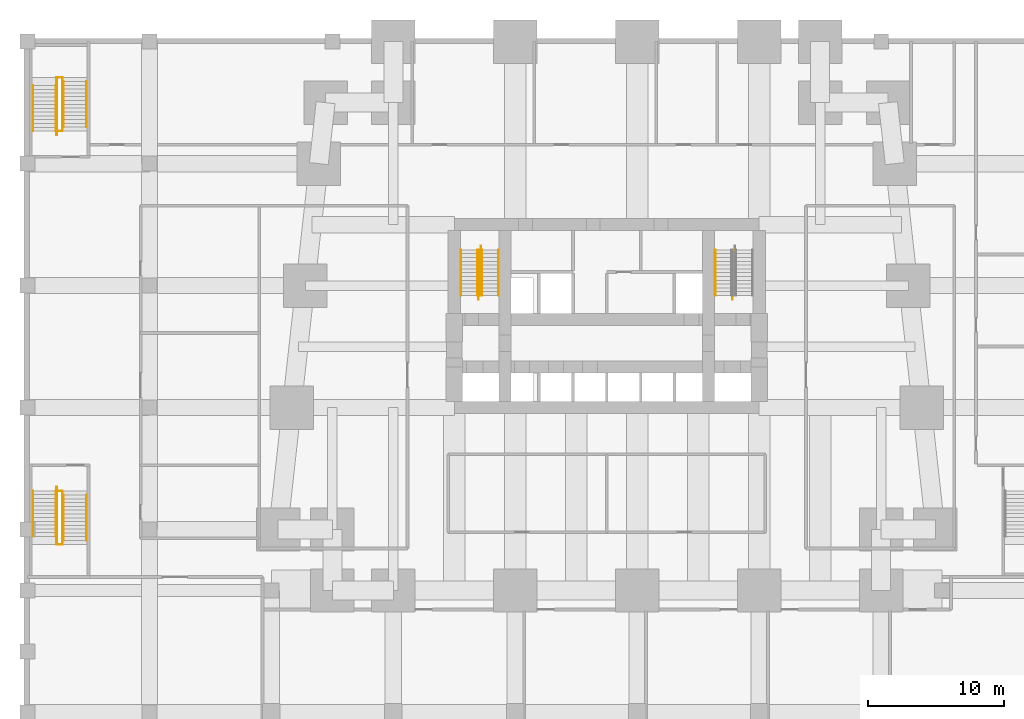
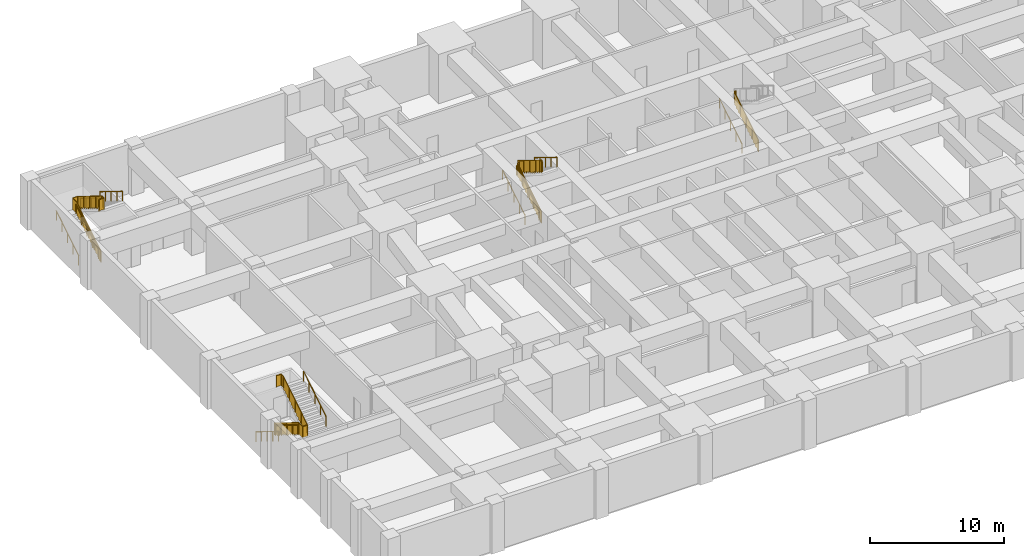
# One storey, part 7 of 8: 20 railings.
"""IFC4 building model written with IfcOpenShell, lengths in metres."""

from ifc_helpers import new_model, si_unit, direction, frame, origin, origin_2d, place, context, subcontext, project, spatial, polyline, circle, outline, extrude, material, type_object, element, save


model = new_model("IFC4")

# Units and contexts
model_context = context("Model", 3, precision=1e-05, world=origin(), true_north=direction((0.0, 1.0)))
body_context = subcontext(model_context, "Body", "Model", "MODEL_VIEW")
ifc_project = project(units=[si_unit("LENGTHUNIT", "METRE"), si_unit("AREAUNIT", "SQUARE_METRE"), si_unit("VOLUMEUNIT", "CUBIC_METRE"), si_unit("PLANEANGLEUNIT", "RADIAN"), si_unit("MASSUNIT", "GRAM", prefix="KILO")], contexts=[model_context])

# Site, building, storey
site_placement = place(None, origin())
site = spatial("IfcSite", under=ifc_project, at=site_placement, CompositionType="ELEMENT")
building_placement = place(site_placement, origin())
building = spatial("IfcBuilding", under=site, at=building_placement, Name="Kilele Tower Hotel", CompositionType="ELEMENT")
storey_placement = place(building_placement, frame((0.0, 0.0, -4.5)))
storey = spatial("IfcBuildingStorey", under=building, at=storey_placement, Name="B1", CompositionType="ELEMENT", Elevation=-4.5)

# Railings
ifc_material_1 = material(Name="Steel handrail", Category="steel")
railing_type_1 = type_object("IfcRailingType", Name="Handrail 900", PredefinedType="HANDRAIL", material=ifc_material_1)
for number, where, name in (
    (1, (14.0, 21.77490234375, 0.173095703125), "Handrail ST1 flight 1"),
    (2, (15.22509765625, 21.77490234375, 0.173095703125), "Handrail ST1 flight 1"),
):
    element("IfcRailing", number, at=place(storey_placement, frame(where)), inside=storey, type_object=railing_type_1, Name=name, PredefinedType="HANDRAIL", context=body_context, shape_type="SweptSolid", body=[
        extrude(circle(Radius=0.02490234375, at=origin_2d()), frame((0.0, 0.0, 0.875), z_axis=(0.0, 0.850623216509, 0.525775754039), x_axis=(-1.0, 0.0, 0.0)), (0.0, 0.0, 1.0), 3.9501953125),
        extrude(circle(Radius=0.02001953125, at=origin_2d()), origin(), (0.0, 0.0, 1.0), 0.849853515625),
        extrude(circle(Radius=0.02001953125, at=origin_2d()), frame((0.0, 0.840087890625, 0.519287109375)), (0.0, 0.0, 1.0), 0.849853515625),
        extrude(circle(Radius=0.02001953125, at=origin_2d()), frame((0.0, 1.68017578125, 1.03857421875)), (0.0, 0.0, 1.0), 0.849853515625),
        extrude(circle(Radius=0.02001953125, at=origin_2d()), frame((0.0, 2.52001953125, 1.5576171875)), (0.0, 0.0, 1.0), 0.849853515625),
        extrude(circle(Radius=0.02001953125, at=origin_2d()), frame((0.0, 3.360107421875, 2.076904296875)), (0.0, 0.0, 1.0), 0.849853515625),
    ])
for number, where, name in (
    (3, (15.52490234375, 25.135009765625, 2.423095703125), "Handrail ST1 flight 2"),
    (4, (16.75, 25.135009765625, 2.423095703125), "Handrail ST1 flight 2"),
):
    element("IfcRailing", number, at=place(storey_placement, frame(where)), inside=storey, type_object=railing_type_1, Name=name, PredefinedType="HANDRAIL", context=body_context, shape_type="SweptSolid", body=[
        extrude(circle(Radius=0.02490234375, at=origin_2d()), frame((0.0, 0.0, 0.875), z_axis=(0.0, -0.850623216509, 0.525775754039), x_axis=(1.0, 0.0, 0.0)), (0.0, 0.0, 1.0), 3.9501953125),
        extrude(circle(Radius=0.02001953125, at=origin_2d()), origin(), (0.0, 0.0, 1.0), 0.849853515625),
        extrude(circle(Radius=0.02001953125, at=origin_2d()), frame((0.0, -0.840087890625, 0.519287109375)), (0.0, 0.0, 1.0), 0.849853515625),
        extrude(circle(Radius=0.02001953125, at=origin_2d()), frame((0.0, -1.68017578125, 1.03857421875)), (0.0, 0.0, 1.0), 0.849853515625),
        extrude(circle(Radius=0.02001953125, at=origin_2d()), frame((0.0, -2.52001953125, 1.5576171875)), (0.0, 0.0, 1.0), 0.849853515625),
        extrude(circle(Radius=0.02001953125, at=origin_2d()), frame((0.0, -3.360107421875, 2.076904296875)), (0.0, 0.0, 1.0), 0.849853515625),
    ])
for number, where, name in (
    (5, (32.75, 21.77490234375, 0.173095703125), "Handrail ST2 flight 1"),
    (6, (-17.60009765625, 33.89990234375, 0.173095703125), "Handrail ST3 flight 1"),
    (7, (-15.89990234375, 33.89990234375, 0.173095703125), "Handrail ST3 flight 1"),
):
    element("IfcRailing", number, at=place(storey_placement, frame(where)), inside=storey, type_object=railing_type_1, Name=name, PredefinedType="HANDRAIL", context=body_context, shape_type="SweptSolid", body=[
        extrude(circle(Radius=0.02490234375, at=origin_2d()), frame((0.0, 0.0, 0.875), z_axis=(0.0, 0.850623216509, 0.525775754039), x_axis=(-1.0, 0.0, 0.0)), (0.0, 0.0, 1.0), 3.9501953125),
        extrude(circle(Radius=0.02001953125, at=origin_2d()), origin(), (0.0, 0.0, 1.0), 0.849853515625),
        extrude(circle(Radius=0.02001953125, at=origin_2d()), frame((0.0, 0.840087890625, 0.519287109375)), (0.0, 0.0, 1.0), 0.849853515625),
        extrude(circle(Radius=0.02001953125, at=origin_2d()), frame((0.0, 1.68017578125, 1.03857421875)), (0.0, 0.0, 1.0), 0.849853515625),
        extrude(circle(Radius=0.02001953125, at=origin_2d()), frame((0.0, 2.52001953125, 1.5576171875)), (0.0, 0.0, 1.0), 0.849853515625),
        extrude(circle(Radius=0.02001953125, at=origin_2d()), frame((0.0, 3.360107421875, 2.076904296875)), (0.0, 0.0, 1.0), 0.849853515625),
    ])
for number, where, name in (
    (8, (-15.35009765625, 37.56005859375, 2.423095703125), "Handrail ST3 flight 2"),
    (9, (-13.64990234375, 37.56005859375, 2.423095703125), "Handrail ST3 flight 2"),
    (10, (-17.60009765625, 7.35009765625, 0.173095703125), "Handrail ST4 flight 1"),
    (11, (-15.89990234375, 7.35009765625, 0.173095703125), "Handrail ST4 flight 1"),
):
    element("IfcRailing", number, at=place(storey_placement, frame(where)), inside=storey, type_object=railing_type_1, Name=name, PredefinedType="HANDRAIL", context=body_context, shape_type="SweptSolid", body=[
        extrude(circle(Radius=0.02490234375, at=origin_2d()), frame((0.0, 0.0, 0.875), z_axis=(0.0, -0.850623216509, 0.525775754039), x_axis=(1.0, 0.0, 0.0)), (0.0, 0.0, 1.0), 3.9501953125),
        extrude(circle(Radius=0.02001953125, at=origin_2d()), origin(), (0.0, 0.0, 1.0), 0.849853515625),
        extrude(circle(Radius=0.02001953125, at=origin_2d()), frame((0.0, -0.840087890625, 0.519287109375)), (0.0, 0.0, 1.0), 0.849853515625),
        extrude(circle(Radius=0.02001953125, at=origin_2d()), frame((0.0, -1.68017578125, 1.03857421875)), (0.0, 0.0, 1.0), 0.849853515625),
        extrude(circle(Radius=0.02001953125, at=origin_2d()), frame((0.0, -2.52001953125, 1.5576171875)), (0.0, 0.0, 1.0), 0.849853515625),
        extrude(circle(Radius=0.02001953125, at=origin_2d()), frame((0.0, -3.360107421875, 2.076904296875)), (0.0, 0.0, 1.0), 0.849853515625),
    ])
for number, where, name in (
    (12, (-15.35009765625, 3.68994140625, 2.423095703125), "Handrail ST4 flight 2"),
    (13, (-13.64990234375, 3.68994140625, 2.423095703125), "Handrail ST4 flight 2"),
):
    element("IfcRailing", number, at=place(storey_placement, frame(where)), inside=storey, type_object=railing_type_1, Name=name, PredefinedType="HANDRAIL", context=body_context, shape_type="SweptSolid", body=[
        extrude(circle(Radius=0.02490234375, at=origin_2d()), frame((0.0, 0.0, 0.875), z_axis=(0.0, 0.850623216509, 0.525775754039), x_axis=(-1.0, 0.0, 0.0)), (0.0, 0.0, 1.0), 3.9501953125),
        extrude(circle(Radius=0.02001953125, at=origin_2d()), origin(), (0.0, 0.0, 1.0), 0.849853515625),
        extrude(circle(Radius=0.02001953125, at=origin_2d()), frame((0.0, 0.840087890625, 0.519287109375)), (0.0, 0.0, 1.0), 0.849853515625),
        extrude(circle(Radius=0.02001953125, at=origin_2d()), frame((0.0, 1.68017578125, 1.03857421875)), (0.0, 0.0, 1.0), 0.849853515625),
        extrude(circle(Radius=0.02001953125, at=origin_2d()), frame((0.0, 2.52001953125, 1.5576171875)), (0.0, 0.0, 1.0), 0.849853515625),
        extrude(circle(Radius=0.02001953125, at=origin_2d()), frame((0.0, 3.360107421875, 2.076904296875)), (0.0, 0.0, 1.0), 0.849853515625),
    ])
ifc_material_2 = material(Name="Steel guard", Category="steel")
railing_type_2 = type_object("IfcRailingType", Name="Stair guard 1100", PredefinedType="GUARDRAIL", material=ifc_material_2)
railing_1_placement = place(storey_placement, frame((15.284912109375, 21.4951171875, 0.0)))
element("IfcRailing", 14, at=railing_1_placement, inside=storey, type_object=railing_type_2, Name="Stair well guard ST1 flight 1", PredefinedType="GUARDRAIL", context=body_context, shape_type="SweptSolid", body=[
    extrude(circle(Radius=0.02490234375, at=origin_2d()), frame((0.0, 0.0, 1.0751953125), z_axis=(0.0, 0.850606632239, 0.525802583857), x_axis=(-1.0, 0.0, 0.0)), (0.0, 0.0, 1.0), 4.279052734375),
    extrude(circle(Radius=0.02490234375, at=origin_2d()), frame((0.0, 3.639892578125, 3.3251953125), z_axis=(1.0, 0.0, 0.0), x_axis=(0.0, 1.0, 0.0)), (0.0, 0.0, 1.0), 0.18017578125),
    extrude(circle(Radius=0.02490234375, at=origin_2d()), origin(), (0.0, 0.0, 1.0), 1.050048828125),
    extrude(circle(Radius=0.02490234375, at=origin_2d()), frame((0.0, 0.909912109375, 0.5625)), (0.0, 0.0, 1.0), 1.050048828125),
    extrude(circle(Radius=0.02490234375, at=origin_2d()), frame((0.0, 1.81982421875, 1.125)), (0.0, 0.0, 1.0), 1.050048828125),
    extrude(circle(Radius=0.02490234375, at=origin_2d()), frame((0.0, 2.72998046875, 1.6875)), (0.0, 0.0, 1.0), 1.050048828125),
    extrude(circle(Radius=0.02490234375, at=origin_2d()), frame((0.0, 3.639892578125, 2.25)), (0.0, 0.0, 1.0), 1.050048828125),
    extrude(circle(Radius=0.02490234375, at=origin_2d()), frame((0.18017578125, 3.639892578125, 2.25)), (0.0, 0.0, 1.0), 1.050048828125),
    extrude(outline(polyline([(0.012451171875, 0.030029296875), (0.25, 0.030029296875), (0.25, 0.203125), (0.530029296875, 0.203125), (0.530029296875, 0.376220703125), (0.81005859375, 0.376220703125), (0.81005859375, 0.54931640625), (1.08984375, 0.54931640625), (1.08984375, 0.722412109375), (1.369873046875, 0.722412109375), (1.369873046875, 0.8955078125), (1.64990234375, 0.8955078125), (1.64990234375, 1.068603515625), (1.929931640625, 1.068603515625), (1.929931640625, 1.241455078125), (2.2099609375, 1.241455078125), (2.2099609375, 1.41455078125), (2.489990234375, 1.41455078125), (2.489990234375, 1.587646484375), (2.769775390625, 1.587646484375), (2.769775390625, 1.7607421875), (3.0498046875, 1.7607421875), (3.0498046875, 1.933837890625), (3.329833984375, 1.933837890625), (3.329833984375, 2.10693359375), (3.60986328125, 2.10693359375), (3.60986328125, 2.280029296875), (3.62744140625, 2.280029296875), (3.62744140625, 3.287841796875), (0.012451171875, 1.053466796875), (0.012451171875, 0.030029296875)])), frame((-0.005859375, 0.0, 0.0), z_axis=(1.0, 0.0, 0.0), x_axis=(0.0, 1.0, 0.0)), (0.0, 0.0, 1.0), 0.011962890625),
    extrude(outline(polyline([(0.012451171875, 0.030029296875), (0.18017578125, 0.030029296875), (0.18017578125, 1.050048828125), (0.012451171875, 1.050048828125), (0.012451171875, 0.030029296875)])), frame((0.0, 3.64599609375, 2.25), z_axis=(0.0, -1.0, 0.0), x_axis=(1.0, 0.0, 0.0)), (0.0, 0.0, 1.0), 0.011962890625),
])
railing_2_placement = place(storey_placement, frame((15.465087890625, 25.4150390625, 2.25)))
element("IfcRailing", 15, at=railing_2_placement, inside=storey, type_object=railing_type_2, Name="Stair well guard ST1 flight 2", PredefinedType="GUARDRAIL", context=body_context, shape_type="SweptSolid", body=[
    extrude(circle(Radius=0.02490234375, at=origin_2d()), frame((0.0, 0.0, 1.0751953125), z_axis=(0.0, -0.850622404505, 0.525777067734), x_axis=(1.0, 0.0, 0.0)), (0.0, 0.0, 1.0), 4.279296875),
    extrude(circle(Radius=0.02490234375, at=origin_2d()), frame((0.0, -3.64013671875, 3.3251953125), z_axis=(-1.0, 0.0, 0.0), x_axis=(0.0, -1.0, 0.0)), (0.0, 0.0, 1.0), 0.18017578125),
    extrude(circle(Radius=0.02490234375, at=origin_2d()), origin(), (0.0, 0.0, 1.0), 1.050048828125),
    extrude(circle(Radius=0.02490234375, at=origin_2d()), frame((0.0, -0.91015625, 0.5625)), (0.0, 0.0, 1.0), 1.050048828125),
    extrude(circle(Radius=0.02490234375, at=origin_2d()), frame((0.0, -1.820068359375, 1.125)), (0.0, 0.0, 1.0), 1.050048828125),
    extrude(circle(Radius=0.02490234375, at=origin_2d()), frame((0.0, -2.72998046875, 1.6875)), (0.0, 0.0, 1.0), 1.050048828125),
    extrude(circle(Radius=0.02490234375, at=origin_2d()), frame((0.0, -3.64013671875, 2.25)), (0.0, 0.0, 1.0), 1.050048828125),
    extrude(circle(Radius=0.02490234375, at=origin_2d()), frame((-0.18017578125, -3.64013671875, 2.25)), (0.0, 0.0, 1.0), 1.050048828125),
    extrude(outline(polyline([(0.0, 0.030029296875), (0.25, 0.030029296875), (0.25, 0.203125), (0.530029296875, 0.203125), (0.530029296875, 0.376220703125), (0.81005859375, 0.376220703125), (0.81005859375, 0.54931640625), (1.090087890625, 0.54931640625), (1.090087890625, 0.722412109375), (1.3701171875, 0.722412109375), (1.3701171875, 0.8955078125), (1.650146484375, 0.8955078125), (1.650146484375, 1.068603515625), (1.929931640625, 1.068603515625), (1.929931640625, 1.241455078125), (2.2099609375, 1.241455078125), (2.2099609375, 1.41455078125), (2.489990234375, 1.41455078125), (2.489990234375, 1.587646484375), (2.77001953125, 1.587646484375), (2.77001953125, 1.7607421875), (3.050048828125, 1.7607421875), (3.050048828125, 1.933837890625), (3.330078125, 1.933837890625), (3.330078125, 2.10693359375), (3.610107421875, 2.10693359375), (3.610107421875, 2.280029296875), (3.627685546875, 2.280029296875), (3.627685546875, 3.287841796875), (0.0, 1.045654296875), (0.0, 0.030029296875)])), frame((0.005859375, 0.0, 0.0), z_axis=(-1.0, 0.0, 0.0), x_axis=(0.0, -1.0, 0.0)), (0.0, 0.0, 1.0), 0.011962890625),
    extrude(outline(polyline([(0.012451171875, 0.030029296875), (0.18017578125, 0.030029296875), (0.18017578125, 1.050048828125), (0.012451171875, 1.050048828125), (0.012451171875, 0.030029296875)])), frame((0.0, -3.64599609375, 2.25), z_axis=(0.0, 1.0, 0.0), x_axis=(-1.0, 0.0, 0.0)), (0.0, 0.0, 1.0), 0.011962890625),
])
railing_3_placement = place(storey_placement, frame((34.034912109375, 21.4951171875, 0.0)))
element("IfcRailing", 16, at=railing_3_placement, inside=storey, type_object=railing_type_2, Name="Stair well guard ST2 flight 1", PredefinedType="GUARDRAIL", context=body_context, shape_type="SweptSolid", body=[
    extrude(circle(Radius=0.02490234375, at=origin_2d()), frame((0.0, 0.0, 1.0751953125), z_axis=(0.0, 0.850606632239, 0.525802583857), x_axis=(-1.0, 0.0, 0.0)), (0.0, 0.0, 1.0), 4.279052734375),
    extrude(circle(Radius=0.02490234375, at=origin_2d()), frame((0.0, 3.639892578125, 3.3251953125), z_axis=(1.0, 0.0, 0.0), x_axis=(0.0, 1.0, 0.0)), (0.0, 0.0, 1.0), 0.18017578125),
    extrude(circle(Radius=0.02490234375, at=origin_2d()), origin(), (0.0, 0.0, 1.0), 1.050048828125),
    extrude(circle(Radius=0.02490234375, at=origin_2d()), frame((0.0, 0.909912109375, 0.5625)), (0.0, 0.0, 1.0), 1.050048828125),
    extrude(circle(Radius=0.02490234375, at=origin_2d()), frame((0.0, 1.81982421875, 1.125)), (0.0, 0.0, 1.0), 1.050048828125),
    extrude(circle(Radius=0.02490234375, at=origin_2d()), frame((0.0, 2.72998046875, 1.6875)), (0.0, 0.0, 1.0), 1.050048828125),
    extrude(circle(Radius=0.02490234375, at=origin_2d()), frame((0.0, 3.639892578125, 2.25)), (0.0, 0.0, 1.0), 1.050048828125),
    extrude(circle(Radius=0.02490234375, at=origin_2d()), frame((0.18017578125, 3.639892578125, 2.25)), (0.0, 0.0, 1.0), 1.050048828125),
    extrude(outline(polyline([(0.012451171875, 0.030029296875), (0.25, 0.030029296875), (0.25, 0.203125), (0.530029296875, 0.203125), (0.530029296875, 0.376220703125), (0.81005859375, 0.376220703125), (0.81005859375, 0.54931640625), (1.08984375, 0.54931640625), (1.08984375, 0.722412109375), (1.369873046875, 0.722412109375), (1.369873046875, 0.8955078125), (1.64990234375, 0.8955078125), (1.64990234375, 1.068603515625), (1.929931640625, 1.068603515625), (1.929931640625, 1.241455078125), (2.2099609375, 1.241455078125), (2.2099609375, 1.41455078125), (2.489990234375, 1.41455078125), (2.489990234375, 1.587646484375), (2.769775390625, 1.587646484375), (2.769775390625, 1.7607421875), (3.0498046875, 1.7607421875), (3.0498046875, 1.933837890625), (3.329833984375, 1.933837890625), (3.329833984375, 2.10693359375), (3.60986328125, 2.10693359375), (3.60986328125, 2.280029296875), (3.62744140625, 2.280029296875), (3.62744140625, 3.287841796875), (0.012451171875, 1.053466796875), (0.012451171875, 0.030029296875)])), frame((-0.005859375, 0.0, 0.0), z_axis=(1.0, 0.0, 0.0), x_axis=(0.0, 1.0, 0.0)), (0.0, 0.0, 1.0), 0.011962890625),
    extrude(outline(polyline([(0.012451171875, 0.030029296875), (0.18017578125, 0.030029296875), (0.18017578125, 1.050048828125), (0.012451171875, 1.050048828125), (0.012451171875, 0.030029296875)])), frame((0.0, 3.64599609375, 2.25), z_axis=(0.0, -1.0, 0.0), x_axis=(1.0, 0.0, 0.0)), (0.0, 0.0, 1.0), 0.011962890625),
])
railing_4_placement = place(storey_placement, frame((-15.840087890625, 33.6201171875, 0.0)))
element("IfcRailing", 17, at=railing_4_placement, inside=storey, type_object=railing_type_2, Name="Stair well guard ST3 flight 1", PredefinedType="GUARDRAIL", context=body_context, shape_type="SweptSolid", body=[
    extrude(circle(Radius=0.02490234375, at=origin_2d()), frame((0.0, 0.0, 1.0751953125), z_axis=(0.0, 0.850606632239, 0.525802583857), x_axis=(-1.0, 0.0, 0.0)), (0.0, 0.0, 1.0), 4.279052734375),
    extrude(circle(Radius=0.02490234375, at=origin_2d()), frame((0.0, 3.639892578125, 3.3251953125), z_axis=(0.0, 1.0, 0.0), x_axis=(-1.0, 0.0, 0.0)), (0.0, 0.0, 1.0), 0.60009765625),
    extrude(circle(Radius=0.02490234375, at=origin_2d()), frame((0.0, 4.239990234375, 3.3251953125), z_axis=(1.0, 0.0, 0.0), x_axis=(0.0, 1.0, 0.0)), (0.0, 0.0, 1.0), 0.43017578125),
    extrude(circle(Radius=0.02490234375, at=origin_2d()), origin(), (0.0, 0.0, 1.0), 1.050048828125),
    extrude(circle(Radius=0.02490234375, at=origin_2d()), frame((0.0, 0.909912109375, 0.5625)), (0.0, 0.0, 1.0), 1.050048828125),
    extrude(circle(Radius=0.02490234375, at=origin_2d()), frame((0.0, 1.81982421875, 1.125)), (0.0, 0.0, 1.0), 1.050048828125),
    extrude(circle(Radius=0.02490234375, at=origin_2d()), frame((0.0, 2.72998046875, 1.6875)), (0.0, 0.0, 1.0), 1.050048828125),
    extrude(circle(Radius=0.02490234375, at=origin_2d()), frame((0.0, 3.639892578125, 2.25)), (0.0, 0.0, 1.0), 1.050048828125),
    extrude(circle(Radius=0.02490234375, at=origin_2d()), frame((0.0, 4.239990234375, 2.25)), (0.0, 0.0, 1.0), 1.050048828125),
    extrude(circle(Radius=0.02490234375, at=origin_2d()), frame((0.43017578125, 4.239990234375, 2.25)), (0.0, 0.0, 1.0), 1.050048828125),
    extrude(outline(polyline([(0.012451171875, 0.030029296875), (0.25, 0.030029296875), (0.25, 0.203125), (0.530029296875, 0.203125), (0.530029296875, 0.376220703125), (0.81005859375, 0.376220703125), (0.81005859375, 0.54931640625), (1.08984375, 0.54931640625), (1.08984375, 0.722412109375), (1.369873046875, 0.722412109375), (1.369873046875, 0.8955078125), (1.64990234375, 0.8955078125), (1.64990234375, 1.068603515625), (1.929931640625, 1.068603515625), (1.929931640625, 1.241455078125), (2.2099609375, 1.241455078125), (2.2099609375, 1.41455078125), (2.489990234375, 1.41455078125), (2.489990234375, 1.587646484375), (2.769775390625, 1.587646484375), (2.769775390625, 1.7607421875), (3.0498046875, 1.7607421875), (3.0498046875, 1.933837890625), (3.329833984375, 1.933837890625), (3.329833984375, 2.10693359375), (3.60986328125, 2.10693359375), (3.60986328125, 2.280029296875), (3.62744140625, 2.280029296875), (3.62744140625, 3.287841796875), (0.012451171875, 1.053466796875), (0.012451171875, 0.030029296875)])), frame((-0.005859375, 0.0, 0.0), z_axis=(1.0, 0.0, 0.0), x_axis=(0.0, 1.0, 0.0)), (0.0, 0.0, 1.0), 0.011962890625),
    extrude(outline(polyline([(0.012451171875, 0.030029296875), (0.587646484375, 0.030029296875), (0.587646484375, 1.050048828125), (0.012451171875, 1.050048828125), (0.012451171875, 0.030029296875)])), frame((-0.005859375, 3.639892578125, 2.25), z_axis=(1.0, 0.0, 0.0), x_axis=(0.0, 1.0, 0.0)), (0.0, 0.0, 1.0), 0.011962890625),
    extrude(outline(polyline([(0.012451171875, 0.030029296875), (0.43017578125, 0.030029296875), (0.43017578125, 1.050048828125), (0.012451171875, 1.050048828125), (0.012451171875, 0.030029296875)])), frame((0.0, 4.24609375, 2.25), z_axis=(0.0, -1.0, 0.0), x_axis=(1.0, 0.0, 0.0)), (0.0, 0.0, 1.0), 0.011962890625),
])
railing_5_placement = place(storey_placement, frame((-15.409912109375, 37.860107421875, 2.25)))
element("IfcRailing", 18, at=railing_5_placement, inside=storey, type_object=railing_type_2, Name="Stair well guard ST3 flight 2", PredefinedType="GUARDRAIL", context=body_context, shape_type="SweptSolid", body=[
    extrude(circle(Radius=0.02490234375, at=origin_2d()), frame((0.0, 0.0, 1.0751953125), z_axis=(0.0, -1.0, 0.0), x_axis=(1.0, 0.0, 0.0)), (0.0, 0.0, 1.0), 0.02001953125),
    extrude(circle(Radius=0.02490234375, at=origin_2d()), frame((0.0, -0.02001953125, 1.0751953125), z_axis=(0.0, -0.850622404505, 0.525777067734), x_axis=(1.0, 0.0, 0.0)), (0.0, 0.0, 1.0), 4.279296875),
    extrude(circle(Radius=0.02490234375, at=origin_2d()), frame((0.0, -3.66015625, 3.3251953125), z_axis=(0.0, -1.0, 0.0), x_axis=(1.0, 0.0, 0.0)), (0.0, 0.0, 1.0), 0.300048828125),
    extrude(circle(Radius=0.02490234375, at=origin_2d()), frame((0.0, -3.960205078125, 3.3251953125), z_axis=(-1.0, 0.0, 0.0), x_axis=(0.0, -1.0, 0.0)), (0.0, 0.0, 1.0), 0.43017578125),
    extrude(circle(Radius=0.02490234375, at=origin_2d()), origin(), (0.0, 0.0, 1.0), 1.050048828125),
    extrude(circle(Radius=0.02490234375, at=origin_2d()), frame((0.0, -0.02001953125, 0.0)), (0.0, 0.0, 1.0), 1.050048828125),
    extrude(circle(Radius=0.02490234375, at=origin_2d()), frame((0.0, -0.93017578125, 0.5625)), (0.0, 0.0, 1.0), 1.050048828125),
    extrude(circle(Radius=0.02490234375, at=origin_2d()), frame((0.0, -1.840087890625, 1.125)), (0.0, 0.0, 1.0), 1.050048828125),
    extrude(circle(Radius=0.02490234375, at=origin_2d()), frame((0.0, -2.75, 1.6875)), (0.0, 0.0, 1.0), 1.050048828125),
    extrude(circle(Radius=0.02490234375, at=origin_2d()), frame((0.0, -3.66015625, 2.25)), (0.0, 0.0, 1.0), 1.050048828125),
    extrude(circle(Radius=0.02490234375, at=origin_2d()), frame((0.0, -3.960205078125, 2.25)), (0.0, 0.0, 1.0), 1.050048828125),
    extrude(circle(Radius=0.02490234375, at=origin_2d()), frame((-0.43017578125, -3.960205078125, 2.25)), (0.0, 0.0, 1.0), 1.050048828125),
    extrude(outline(polyline([(0.012451171875, 0.030029296875), (0.25, 0.030029296875), (0.25, 0.203125), (0.530029296875, 0.203125), (0.530029296875, 0.376220703125), (0.81005859375, 0.376220703125), (0.81005859375, 0.54931640625), (1.090087890625, 0.54931640625), (1.090087890625, 0.722412109375), (1.3701171875, 0.722412109375), (1.3701171875, 0.8955078125), (1.650146484375, 0.8955078125), (1.650146484375, 1.068603515625), (1.929931640625, 1.068603515625), (1.929931640625, 1.241455078125), (2.2099609375, 1.241455078125), (2.2099609375, 1.41455078125), (2.489990234375, 1.41455078125), (2.489990234375, 1.587646484375), (2.77001953125, 1.587646484375), (2.77001953125, 1.7607421875), (3.050048828125, 1.7607421875), (3.050048828125, 1.933837890625), (3.330078125, 1.933837890625), (3.330078125, 2.10693359375), (3.610107421875, 2.10693359375), (3.610107421875, 2.280029296875), (3.627685546875, 2.280029296875), (3.627685546875, 3.287841796875), (0.012451171875, 1.053466796875), (0.012451171875, 0.030029296875)])), frame((0.005859375, -0.02001953125, 0.0), z_axis=(-1.0, 0.0, 0.0), x_axis=(0.0, -1.0, 0.0)), (0.0, 0.0, 1.0), 0.011962890625),
    extrude(outline(polyline([(0.012451171875, 0.030029296875), (0.28759765625, 0.030029296875), (0.28759765625, 1.050048828125), (0.012451171875, 1.050048828125), (0.012451171875, 0.030029296875)])), frame((0.005859375, -3.66015625, 2.25), z_axis=(-1.0, 0.0, 0.0), x_axis=(0.0, -1.0, 0.0)), (0.0, 0.0, 1.0), 0.011962890625),
    extrude(outline(polyline([(0.012451171875, 0.030029296875), (0.43017578125, 0.030029296875), (0.43017578125, 1.050048828125), (0.012451171875, 1.050048828125), (0.012451171875, 0.030029296875)])), frame((0.0, -3.96630859375, 2.25), z_axis=(0.0, 1.0, 0.0), x_axis=(-1.0, 0.0, 0.0)), (0.0, 0.0, 1.0), 0.011962890625),
])
railing_6_placement = place(storey_placement, frame((-15.840087890625, 7.6298828125, 0.0)))
element("IfcRailing", 19, at=railing_6_placement, inside=storey, type_object=railing_type_2, Name="Stair well guard ST4 flight 1", PredefinedType="GUARDRAIL", context=body_context, shape_type="SweptSolid", body=[
    extrude(circle(Radius=0.02490234375, at=origin_2d()), frame((0.0, 0.0, 1.0751953125), z_axis=(0.0, -0.850606632239, 0.525802583857), x_axis=(1.0, 0.0, 0.0)), (0.0, 0.0, 1.0), 4.279052734375),
    extrude(circle(Radius=0.02490234375, at=origin_2d()), frame((0.0, -3.639892578125, 3.3251953125), z_axis=(0.0, -1.0, 0.0), x_axis=(1.0, 0.0, 0.0)), (0.0, 0.0, 1.0), 0.60009765625),
    extrude(circle(Radius=0.02490234375, at=origin_2d()), frame((0.0, -4.239990234375, 3.3251953125), z_axis=(1.0, 0.0, 0.0), x_axis=(0.0, 1.0, 0.0)), (0.0, 0.0, 1.0), 0.43017578125),
    extrude(circle(Radius=0.02490234375, at=origin_2d()), origin(), (0.0, 0.0, 1.0), 1.050048828125),
    extrude(circle(Radius=0.02490234375, at=origin_2d()), frame((0.0, -0.909912109375, 0.5625)), (0.0, 0.0, 1.0), 1.050048828125),
    extrude(circle(Radius=0.02490234375, at=origin_2d()), frame((0.0, -1.81982421875, 1.125)), (0.0, 0.0, 1.0), 1.050048828125),
    extrude(circle(Radius=0.02490234375, at=origin_2d()), frame((0.0, -2.72998046875, 1.6875)), (0.0, 0.0, 1.0), 1.050048828125),
    extrude(circle(Radius=0.02490234375, at=origin_2d()), frame((0.0, -3.639892578125, 2.25)), (0.0, 0.0, 1.0), 1.050048828125),
    extrude(circle(Radius=0.02490234375, at=origin_2d()), frame((0.0, -4.239990234375, 2.25)), (0.0, 0.0, 1.0), 1.050048828125),
    extrude(circle(Radius=0.02490234375, at=origin_2d()), frame((0.43017578125, -4.239990234375, 2.25)), (0.0, 0.0, 1.0), 1.050048828125),
    extrude(outline(polyline([(0.012451171875, 0.030029296875), (0.25, 0.030029296875), (0.25, 0.203125), (0.530029296875, 0.203125), (0.530029296875, 0.376220703125), (0.81005859375, 0.376220703125), (0.81005859375, 0.54931640625), (1.08984375, 0.54931640625), (1.08984375, 0.722412109375), (1.369873046875, 0.722412109375), (1.369873046875, 0.8955078125), (1.64990234375, 0.8955078125), (1.64990234375, 1.068603515625), (1.929931640625, 1.068603515625), (1.929931640625, 1.241455078125), (2.2099609375, 1.241455078125), (2.2099609375, 1.41455078125), (2.489990234375, 1.41455078125), (2.489990234375, 1.587646484375), (2.769775390625, 1.587646484375), (2.769775390625, 1.7607421875), (3.0498046875, 1.7607421875), (3.0498046875, 1.933837890625), (3.329833984375, 1.933837890625), (3.329833984375, 2.10693359375), (3.60986328125, 2.10693359375), (3.60986328125, 2.280029296875), (3.62744140625, 2.280029296875), (3.62744140625, 3.287841796875), (0.012451171875, 1.053466796875), (0.012451171875, 0.030029296875)])), frame((0.005859375, 0.0, 0.0), z_axis=(-1.0, 0.0, 0.0), x_axis=(0.0, -1.0, 0.0)), (0.0, 0.0, 1.0), 0.011962890625),
    extrude(outline(polyline([(0.012451171875, 0.030029296875), (0.587646484375, 0.030029296875), (0.587646484375, 1.050048828125), (0.012451171875, 1.050048828125), (0.012451171875, 0.030029296875)])), frame((0.005859375, -3.639892578125, 2.25), z_axis=(-1.0, 0.0, 0.0), x_axis=(0.0, -1.0, 0.0)), (0.0, 0.0, 1.0), 0.011962890625),
    extrude(outline(polyline([(0.012451171875, 0.030029296875), (0.43017578125, 0.030029296875), (0.43017578125, 1.050048828125), (0.012451171875, 1.050048828125), (0.012451171875, 0.030029296875)])), frame((0.0, -4.23388671875, 2.25), z_axis=(0.0, -1.0, 0.0), x_axis=(1.0, 0.0, 0.0)), (0.0, 0.0, 1.0), 0.011962890625),
])
railing_7_placement = place(storey_placement, frame((-15.409912109375, 3.389892578125, 2.25)))
element("IfcRailing", 20, at=railing_7_placement, inside=storey, type_object=railing_type_2, Name="Stair well guard ST4 flight 2", PredefinedType="GUARDRAIL", context=body_context, shape_type="SweptSolid", body=[
    extrude(circle(Radius=0.02490234375, at=origin_2d()), frame((0.0, 0.0, 1.0751953125), z_axis=(0.0, 1.0, 0.0), x_axis=(-1.0, 0.0, 0.0)), (0.0, 0.0, 1.0), 0.02001953125),
    extrude(circle(Radius=0.02490234375, at=origin_2d()), frame((0.0, 0.02001953125, 1.0751953125), z_axis=(0.0, 0.850622404505, 0.525777067734), x_axis=(-1.0, 0.0, 0.0)), (0.0, 0.0, 1.0), 4.279296875),
    extrude(circle(Radius=0.02490234375, at=origin_2d()), frame((0.0, 3.66015625, 3.3251953125), z_axis=(0.0, 1.0, 0.0), x_axis=(-1.0, 0.0, 0.0)), (0.0, 0.0, 1.0), 0.300048828125),
    extrude(circle(Radius=0.02490234375, at=origin_2d()), frame((0.0, 3.960205078125, 3.3251953125), z_axis=(-1.0, 0.0, 0.0), x_axis=(0.0, -1.0, 0.0)), (0.0, 0.0, 1.0), 0.43017578125),
    extrude(circle(Radius=0.02490234375, at=origin_2d()), origin(), (0.0, 0.0, 1.0), 1.050048828125),
    extrude(circle(Radius=0.02490234375, at=origin_2d()), frame((0.0, 0.02001953125, 0.0)), (0.0, 0.0, 1.0), 1.050048828125),
    extrude(circle(Radius=0.02490234375, at=origin_2d()), frame((0.0, 0.93017578125, 0.5625)), (0.0, 0.0, 1.0), 1.050048828125),
    extrude(circle(Radius=0.02490234375, at=origin_2d()), frame((0.0, 1.840087890625, 1.125)), (0.0, 0.0, 1.0), 1.050048828125),
    extrude(circle(Radius=0.02490234375, at=origin_2d()), frame((0.0, 2.75, 1.6875)), (0.0, 0.0, 1.0), 1.050048828125),
    extrude(circle(Radius=0.02490234375, at=origin_2d()), frame((0.0, 3.66015625, 2.25)), (0.0, 0.0, 1.0), 1.050048828125),
    extrude(circle(Radius=0.02490234375, at=origin_2d()), frame((0.0, 3.960205078125, 2.25)), (0.0, 0.0, 1.0), 1.050048828125),
    extrude(circle(Radius=0.02490234375, at=origin_2d()), frame((-0.43017578125, 3.960205078125, 2.25)), (0.0, 0.0, 1.0), 1.050048828125),
    extrude(outline(polyline([(0.012451171875, 0.030029296875), (0.25, 0.030029296875), (0.25, 0.203125), (0.530029296875, 0.203125), (0.530029296875, 0.376220703125), (0.81005859375, 0.376220703125), (0.81005859375, 0.54931640625), (1.090087890625, 0.54931640625), (1.090087890625, 0.722412109375), (1.3701171875, 0.722412109375), (1.3701171875, 0.8955078125), (1.650146484375, 0.8955078125), (1.650146484375, 1.068603515625), (1.929931640625, 1.068603515625), (1.929931640625, 1.241455078125), (2.2099609375, 1.241455078125), (2.2099609375, 1.41455078125), (2.489990234375, 1.41455078125), (2.489990234375, 1.587646484375), (2.77001953125, 1.587646484375), (2.77001953125, 1.7607421875), (3.050048828125, 1.7607421875), (3.050048828125, 1.933837890625), (3.330078125, 1.933837890625), (3.330078125, 2.10693359375), (3.610107421875, 2.10693359375), (3.610107421875, 2.280029296875), (3.627685546875, 2.280029296875), (3.627685546875, 3.287841796875), (0.012451171875, 1.053466796875), (0.012451171875, 0.030029296875)])), frame((-0.005859375, 0.02001953125, 0.0), z_axis=(1.0, 0.0, 0.0), x_axis=(0.0, 1.0, 0.0)), (0.0, 0.0, 1.0), 0.011962890625),
    extrude(outline(polyline([(0.012451171875, 0.030029296875), (0.28759765625, 0.030029296875), (0.28759765625, 1.050048828125), (0.012451171875, 1.050048828125), (0.012451171875, 0.030029296875)])), frame((-0.005859375, 3.66015625, 2.25), z_axis=(1.0, 0.0, 0.0), x_axis=(0.0, 1.0, 0.0)), (0.0, 0.0, 1.0), 0.011962890625),
    extrude(outline(polyline([(0.012451171875, 0.030029296875), (0.43017578125, 0.030029296875), (0.43017578125, 1.050048828125), (0.012451171875, 1.050048828125), (0.012451171875, 0.030029296875)])), frame((0.0, 3.9541015625, 2.25), z_axis=(0.0, 1.0, 0.0), x_axis=(-1.0, 0.0, 0.0)), (0.0, 0.0, 1.0), 0.011962890625),
])

save(model, "model.ifc")
